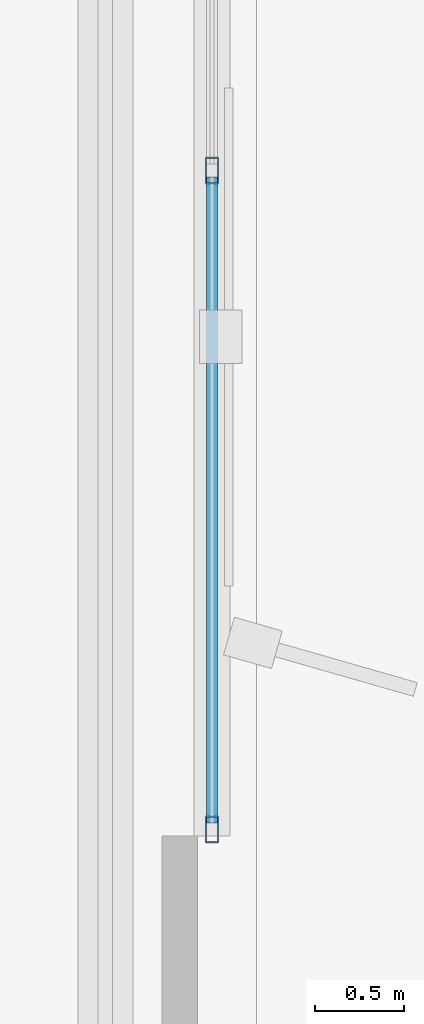
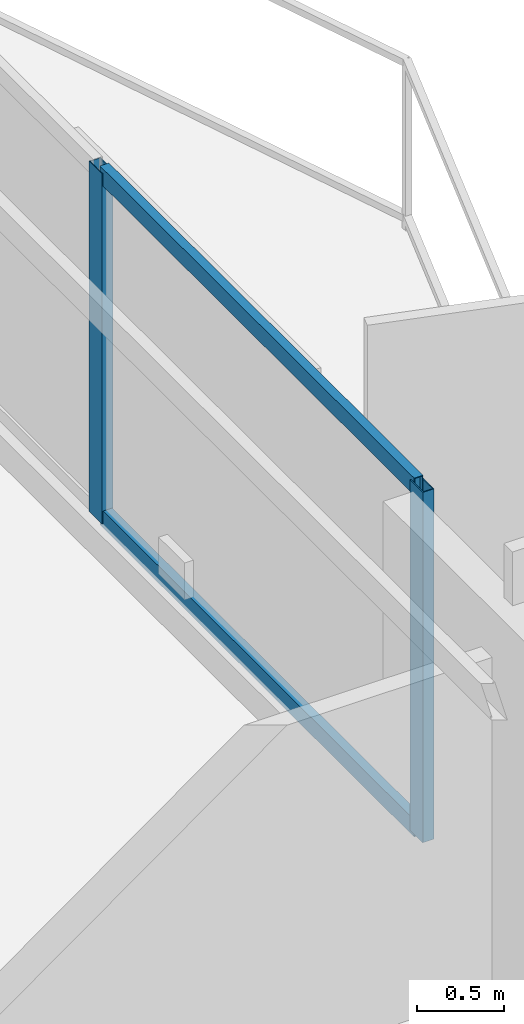
# One storey, part 8 of 22: 4 members, 1 element without a shape of its own.
"""IFC4 building model written with IfcOpenShell, lengths in metres."""

from ifc_helpers import new_model, si_unit, direction, frame, origin, origin_2d, place, context, subcontext, project, spatial, hollow_rectangle, extrude, material, layer, layer_set, material_profile, profile_set, type_object, element, aggregate, save


model = new_model("IFC4")

# Units and contexts
model_context = context("Model", 3, precision=1e-05, world=origin(), true_north=direction((0.0, 1.0)))
body_context = subcontext(model_context, "Body", "Model", "MODEL_VIEW")
ifc_project = project(units=[si_unit("LENGTHUNIT", "METRE"), si_unit("AREAUNIT", "SQUARE_METRE"), si_unit("VOLUMEUNIT", "CUBIC_METRE"), si_unit("PLANEANGLEUNIT", "RADIAN"), si_unit("MASSUNIT", "GRAM", prefix="KILO")], contexts=[model_context])

# Site, building, storey
site_placement = place(None, origin())
site = spatial("IfcSite", under=ifc_project, at=site_placement, CompositionType="ELEMENT")
building_placement = place(site_placement, origin())
building = spatial("IfcBuilding", under=site, at=building_placement, Name="Mersakhor Tower and Convention Hall", CompositionType="ELEMENT")
storey_placement = place(building_placement, frame((0.0, 0.0, 109.800048828125)))
storey = spatial("IfcBuildingStorey", under=building, at=storey_placement, Name="L30", CompositionType="ELEMENT", Elevation=109.800048828125)

# Curtain wall, members
ifc_material_1 = material(Name="Dark solar low-E aluminium curtain wall", Category="aluminium")
ifc_layer = layer(ifc_material_1, 0.159912109375)
ifc_layer_set = layer_set([ifc_layer], Name="Dark solar low-E aluminium curtain wall")
curtain_wall_type = type_object("IfcCurtainWallType", Name="CW-SYS-01", PredefinedType="USERDEFINED", material=ifc_layer_set)
curtain_wall_placement = place(storey_placement, origin())
curtain_wall = element("IfcCurtainWall", 1, at=curtain_wall_placement, inside=storey, type_object=curtain_wall_type, Name="L30 Dark-Glass Curtain Wall F2-B2", ObjectType="CURTAIN WALL", PredefinedType="USERDEFINED")
ifc_material_2 = material(Name="Anodised aluminium EN AW-6063 T6", Category="aluminium")
ifc_material_profile_1 = material_profile(ifc_material_2, hollow_rectangle(XDim=0.074951171875, YDim=0.14990234375, WallThickness=0.00634765625, at=origin_2d()), Name="RHS 150x75x6.3")
ifc_profile_set_1 = profile_set([ifc_material_profile_1], Name="Anodised aluminium EN AW-6063 T6")
member_type_1 = type_object("IfcMemberType", Name="CWM-150x75", PredefinedType="MULLION", material=ifc_profile_set_1)
member_1_placement = place(storey_placement, frame((43.03466796875, 24.87841796875, 0.199951171875), z_axis=(0.0, 0.0, 1.0), x_axis=(1.0, 0.0, 0.0)))
member_1 = element("IfcMember", 2, at=member_1_placement, type_object=member_type_1, Name="CW-01 mullion 3", PredefinedType="MULLION", context=body_context, shape_type="SweptSolid", body=[
    extrude(hollow_rectangle(XDim=0.074951171875, YDim=0.14990234375, WallThickness=0.00634765625, at=origin_2d()), origin(), (0.0, 0.0, 1.0), 2.469970703125),
])
member_2_placement = place(storey_placement, frame((43.03466796875, 21.172607421875, 0.199951171875), z_axis=(0.0, 0.0, 1.0), x_axis=(1.0, 0.0, 0.0)))
member_2 = element("IfcMember", 3, at=member_2_placement, type_object=member_type_1, Name="CW-01 mullion 4", PredefinedType="MULLION", context=body_context, shape_type="SweptSolid", body=[
    extrude(hollow_rectangle(XDim=0.074951171875, YDim=0.14990234375, WallThickness=0.00634765625, at=origin_2d()), origin(), (0.0, 0.0, 1.0), 2.469970703125),
])
ifc_material_3 = material(Name="Anodised aluminium EN AW-6063 T6", Category="aluminium")
ifc_material_profile_2 = material_profile(ifc_material_3, hollow_rectangle(XDim=0.06005859375, YDim=0.1201171875, WallThickness=0.0048828125, at=origin_2d()), Name="RHS 120x60x5")
ifc_profile_set_2 = profile_set([ifc_material_profile_2], Name="Anodised aluminium EN AW-6063 T6")
member_type_2 = type_object("IfcMemberType", Name="CWT-120x60", PredefinedType="USERDEFINED", material=ifc_profile_set_2)
member_3_placement = place(storey_placement, frame((43.03466796875, 24.8408203125, 0.22998046875), z_axis=(0.0, -1.0, 0.0), x_axis=(1.0, 0.0, 0.0)))
member_3 = element("IfcMember", 4, at=member_3_placement, type_object=member_type_2, Name="CW-01 transom 3.1", ObjectType="TRANSOM", PredefinedType="USERDEFINED", context=body_context, shape_type="SweptSolid", body=[
    extrude(hollow_rectangle(XDim=0.06005859375, YDim=0.1201171875, WallThickness=0.0048828125, at=origin_2d()), origin(), (0.0, 0.0, 1.0), 3.630615234375),
])
member_4_placement = place(storey_placement, frame((43.03466796875, 24.8408203125, 2.639892578125), z_axis=(0.0, -1.0, 0.0), x_axis=(1.0, 0.0, 0.0)))
member_4 = element("IfcMember", 5, at=member_4_placement, type_object=member_type_2, Name="CW-01 transom 3.2", ObjectType="TRANSOM", PredefinedType="USERDEFINED", context=body_context, shape_type="SweptSolid", body=[
    extrude(hollow_rectangle(XDim=0.06005859375, YDim=0.1201171875, WallThickness=0.0048828125, at=origin_2d()), origin(), (0.0, 0.0, 1.0), 3.630615234375),
])
aggregate(curtain_wall, [member_1, member_2, member_3, member_4])

save(model, "model.ifc")
